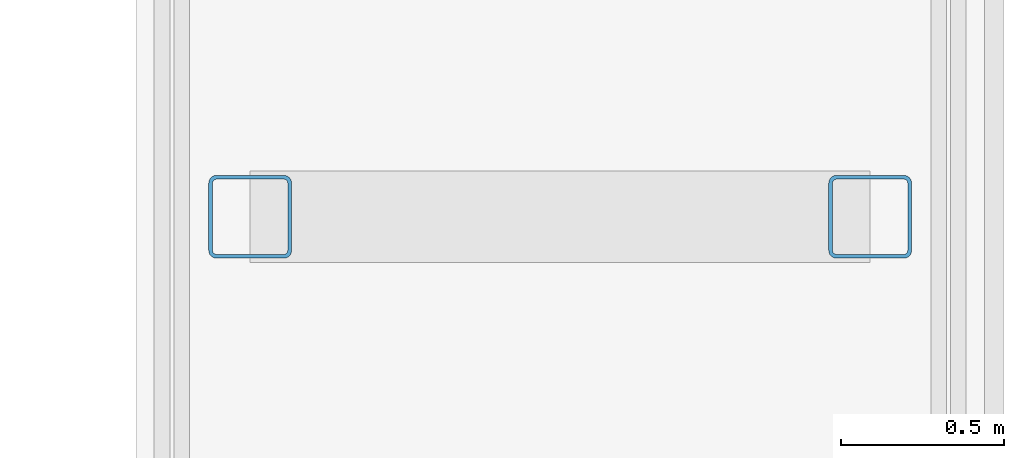
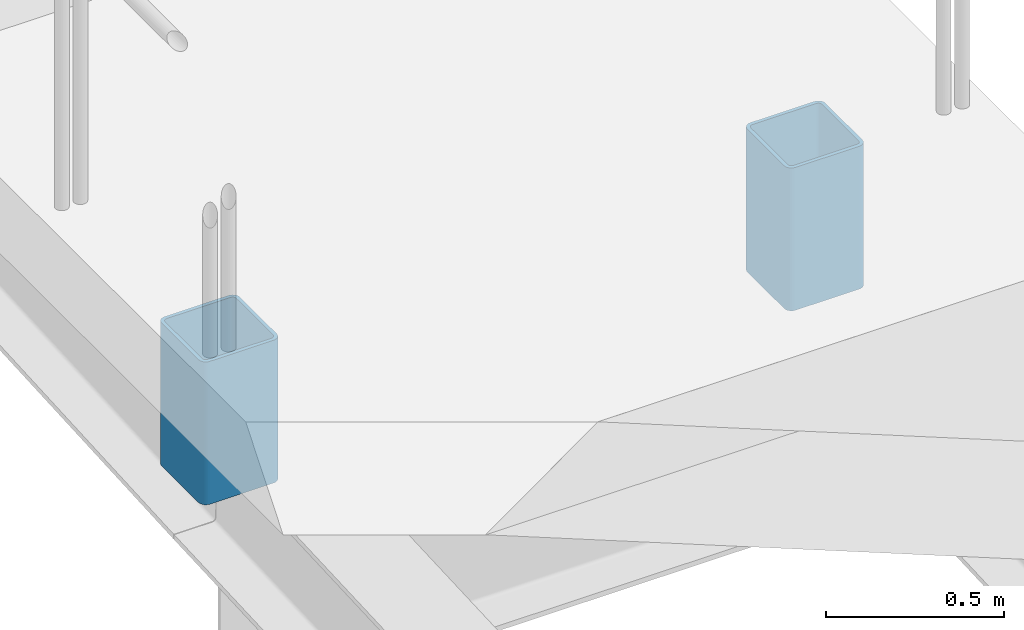
# One storey, part 17 of 129: 2 columns.
"""IFC4 building model written with IfcOpenShell, lengths in metres."""

from ifc_helpers import new_model, si_unit, direction, frame, origin, origin_2d, place, context, subcontext, project, spatial, hollow_rectangle, extrude, material, material_profile, profile_set, type_object, element, save


model = new_model("IFC4")

# Units and contexts
model_context = context("Model", 3, precision=1e-05, world=origin(), true_north=direction((0.0, 1.0)))
body_context = subcontext(model_context, "Body", "Model", "MODEL_VIEW")
ifc_project = project(units=[si_unit("LENGTHUNIT", "METRE"), si_unit("AREAUNIT", "SQUARE_METRE"), si_unit("VOLUMEUNIT", "CUBIC_METRE"), si_unit("PLANEANGLEUNIT", "RADIAN"), si_unit("MASSUNIT", "GRAM", prefix="KILO")], contexts=[model_context])

# Site, building, storey
site_placement = place(None, origin())
site = spatial("IfcSite", under=ifc_project, at=site_placement, CompositionType="ELEMENT")
building_placement = place(site_placement, origin())
building = spatial("IfcBuilding", under=site, at=building_placement, Name="Vespera Passage Community Centre", CompositionType="ELEMENT")
storey_placement = place(building_placement, origin())
storey = spatial("IfcBuildingStorey", under=building, at=storey_placement, Name="L00", CompositionType="ELEMENT", Elevation=0.0)

# Columns
ifc_material = material(Name="Steel ASTM A500 Grade C", Category="steel")
ifc_material_profile = material_profile(ifc_material, hollow_rectangle(XDim=0.25390625, YDim=0.25390625, WallThickness=0.01171875, InnerFilletRadius=0.01171875, OuterFilletRadius=0.023681640625, at=origin_2d()), Name="HSS254X254X12.7")
ifc_profile_set = profile_set([ifc_material_profile], Name="Steel ASTM A500 Grade C")
column_type = type_object("IfcColumnType", Name="COL-HSS254E", PredefinedType="COLUMN", material=ifc_profile_set)
for number, where, z_axis, x_axis, name in (
    (1, (161.550048828125, 31.050048828125, 0.0), (0.0, 0.0, 1.0), (1.0, 0.0, 0.0), "L00 Pier RB1-P01-1"),
    (2, (163.449951171875, 31.050048828125, 0.0), (0.0, 0.0, 1.0), (1.0, 0.0, 0.0), "L00 Pier RB1-P01-2"),
):
    element("IfcColumn", number, at=place(storey_placement, frame(where, z_axis=z_axis, x_axis=x_axis)), inside=storey, type_object=column_type, Name=name, PredefinedType="COLUMN", context=body_context, shape_type="SweptSolid", body=[
        extrude(hollow_rectangle(XDim=0.25390625, YDim=0.25390625, WallThickness=0.01171875, InnerFilletRadius=0.01171875, OuterFilletRadius=0.023681640625, at=origin_2d()), origin(), (0.0, 0.0, 1.0), 0.489990234375),
    ])

save(model, "model.ifc")
